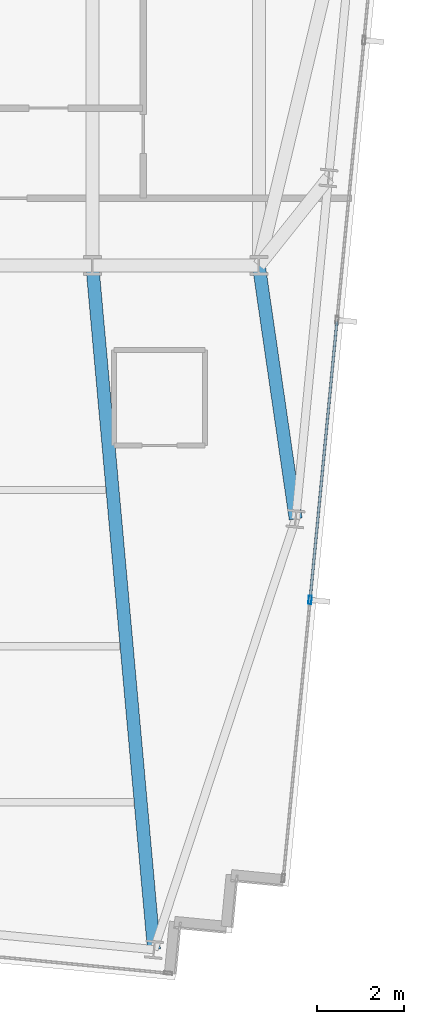
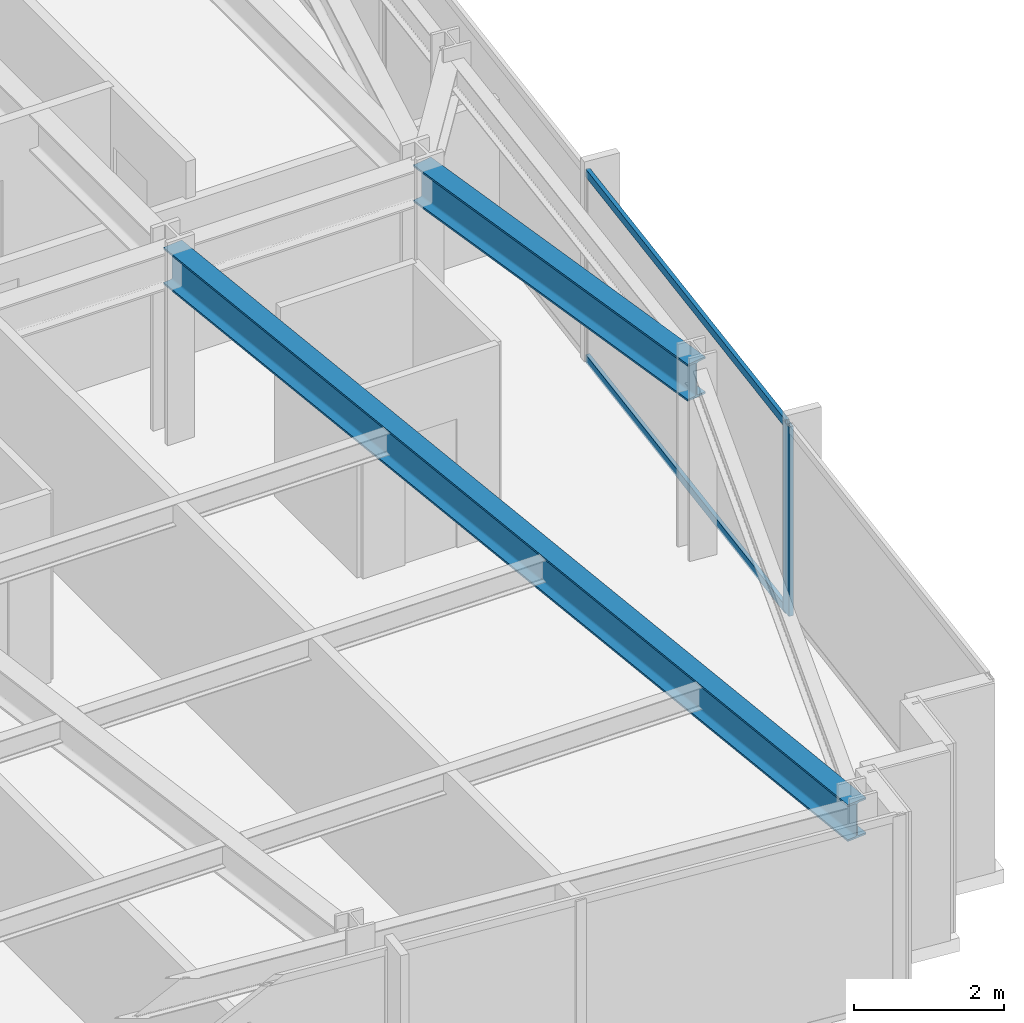
# One storey, part 15 of 38: 3 members, 2 beams, 1 element without a shape of its own.
"""IFC4 building model written with IfcOpenShell, lengths in metres."""

from ifc_helpers import new_model, si_unit, direction, frame, origin, origin_2d, place, context, subcontext, project, spatial, hollow_rectangle, i_section, extrude, material, material_profile, profile_set, type_object, element, aggregate, save


model = new_model("IFC4")

# Units and contexts
model_context = context("Model", 3, precision=1e-05, world=origin(), true_north=direction((0.0, 1.0)))
body_context = subcontext(model_context, "Body", "Model", "MODEL_VIEW")
ifc_project = project(units=[si_unit("LENGTHUNIT", "METRE"), si_unit("AREAUNIT", "SQUARE_METRE"), si_unit("VOLUMEUNIT", "CUBIC_METRE"), si_unit("PLANEANGLEUNIT", "RADIAN"), si_unit("MASSUNIT", "GRAM", prefix="KILO")], contexts=[model_context])

# Site, building, storey
site_placement = place(None, origin())
site = spatial("IfcSite", under=ifc_project, at=site_placement, CompositionType="ELEMENT")
building_placement = place(site_placement, origin())
building = spatial("IfcBuilding", under=site, at=building_placement, Name="Yelkora Congress Tower", CompositionType="ELEMENT")
storey_placement = place(building_placement, frame((0.0, 0.0, 172.10009765625)))
storey = spatial("IfcBuildingStorey", under=building, at=storey_placement, Name="L47", CompositionType="ELEMENT", Elevation=172.10009765625)

# Beams
ifc_material_1 = material(Name="Steel S355J2", Category="steel")
ifc_material_profile_1 = material_profile(ifc_material_1, i_section(OverallWidth=0.300048828125, OverallDepth=0.60009765625, WebThickness=0.015380859375, FlangeThickness=0.030029296875, FilletRadius=0.027099609375, at=origin_2d()), Name="HEB 600")
ifc_profile_set_1 = profile_set([ifc_material_profile_1], Name="Steel S355J2")
beam_type = type_object("IfcBeamType", Name="BM-GIRD-HEB600", PredefinedType="BEAM", material=ifc_profile_set_1)
beam_1_placement = place(storey_placement, frame((55.18212890625, 9.421142578125, 2.77978515625), z_axis=(-0.089764575953, 0.995963011815, 0.0), x_axis=(-0.995963011815, -0.089764575953, 0.0)))
element("IfcBeam", 1, at=beam_1_placement, inside=storey, type_object=beam_type, Name="L47 Primary Frame Girder S08", PredefinedType="BEAM", context=body_context, shape_type="SweptSolid", body=[
    extrude(i_section(OverallWidth=0.300048828125, OverallDepth=0.60009765625, WebThickness=0.015380859375, FlangeThickness=0.030029296875, FilletRadius=0.027099609375, at=origin_2d()), origin(), (0.0, 0.0, 1.0), 15.8427734375),
])
beam_2_placement = place(storey_placement, frame((58.44921875, 19.353759765625, 2.77978515625), z_axis=(-0.143735281382, 0.989616172506, 0.0), x_axis=(-0.989616172506, -0.143735281382, 0.0)))
element("IfcBeam", 2, at=beam_2_placement, inside=storey, type_object=beam_type, Name="L47 Primary Frame Girder E01", PredefinedType="BEAM", context=body_context, shape_type="SweptSolid", body=[
    extrude(i_section(OverallWidth=0.300048828125, OverallDepth=0.60009765625, WebThickness=0.015380859375, FlangeThickness=0.030029296875, FilletRadius=0.027099609375, at=origin_2d()), origin(), (0.0, 0.0, 1.0), 5.907470703125),
])

# Curtain wall, members
ifc_material_2 = material(Name="Anodised aluminium and insulated glass", Category="aluminium")
curtain_wall_type = type_object("IfcCurtainWallType", Name="CW-SYS-B3", PredefinedType="NOTDEFINED", material=ifc_material_2)
curtain_wall_placement = place(storey_placement, origin())
curtain_wall = element("IfcCurtainWall", 3, at=curtain_wall_placement, inside=storey, type_object=curtain_wall_type, Name="L47 Unitised Curtain Wall 15", PredefinedType="NOTDEFINED")
ifc_material_3 = material(Name="Anodised aluminium 6063-T6", Category="aluminium")
ifc_material_profile_2 = material_profile(ifc_material_3, hollow_rectangle(XDim=0.070068359375, YDim=0.18994140625, WallThickness=0.00390625, at=origin_2d()), Name="ALU 70x190x4")
ifc_profile_set_2 = profile_set([ifc_material_profile_2], Name="Anodised aluminium 6063-T6")
member_type_1 = type_object("IfcMemberType", Name="MEM-ML-B3", PredefinedType="MULLION", material=ifc_profile_set_2)
member_1_placement = place(storey_placement, frame((58.78173828125, 17.4873046875, 0.0), z_axis=(0.0, 0.0, 1.0), x_axis=(0.995396565076, -0.095841944023, 0.0)))
member_1 = element("IfcMember", 4, at=member_1_placement, type_object=member_type_1, Name="CW-B3 mullion 5", PredefinedType="MULLION", context=body_context, shape_type="SweptSolid", body=[
    extrude(hollow_rectangle(XDim=0.070068359375, YDim=0.18994140625, WallThickness=0.00390625, at=origin_2d()), origin(), (0.0, 0.0, 1.0), 3.079833984375),
])
ifc_material_profile_3 = material_profile(ifc_material_3, hollow_rectangle(XDim=0.06005859375, YDim=0.1298828125, WallThickness=0.00390625, at=origin_2d()), Name="ALU 60x130x4")
ifc_profile_set_3 = profile_set([ifc_material_profile_3], Name="Anodised aluminium 6063-T6")
member_type_2 = type_object("IfcMemberType", Name="MEM-TR-B3", PredefinedType="USERDEFINED", material=ifc_profile_set_3)
member_2_placement = place(storey_placement, frame((59.39990234375, 23.90673828125, 0.02978515625), z_axis=(-0.095843682057, -0.995396397728, 0.0), x_axis=(0.995396397728, -0.095843682057, 0.0)))
member_2 = element("IfcMember", 5, at=member_2_placement, type_object=member_type_2, Name="CW-B3 transom 4.1", ObjectType="TRANSOM", PredefinedType="USERDEFINED", context=body_context, shape_type="SweptSolid", body=[
    extrude(hollow_rectangle(XDim=0.06005859375, YDim=0.1298828125, WallThickness=0.00390625, at=origin_2d()), origin(), (0.0, 0.0, 1.0), 6.4140625),
])
member_3_placement = place(storey_placement, frame((59.39990234375, 23.90673828125, 3.0498046875), z_axis=(-0.095843682057, -0.995396397728, 0.0), x_axis=(0.995396397728, -0.095843682057, 0.0)))
member_3 = element("IfcMember", 6, at=member_3_placement, type_object=member_type_2, Name="CW-B3 transom 4.2", ObjectType="TRANSOM", PredefinedType="USERDEFINED", context=body_context, shape_type="SweptSolid", body=[
    extrude(hollow_rectangle(XDim=0.06005859375, YDim=0.1298828125, WallThickness=0.00390625, at=origin_2d()), origin(), (0.0, 0.0, 1.0), 6.4140625),
])
aggregate(curtain_wall, [member_1, member_2, member_3])

save(model, "model.ifc")
